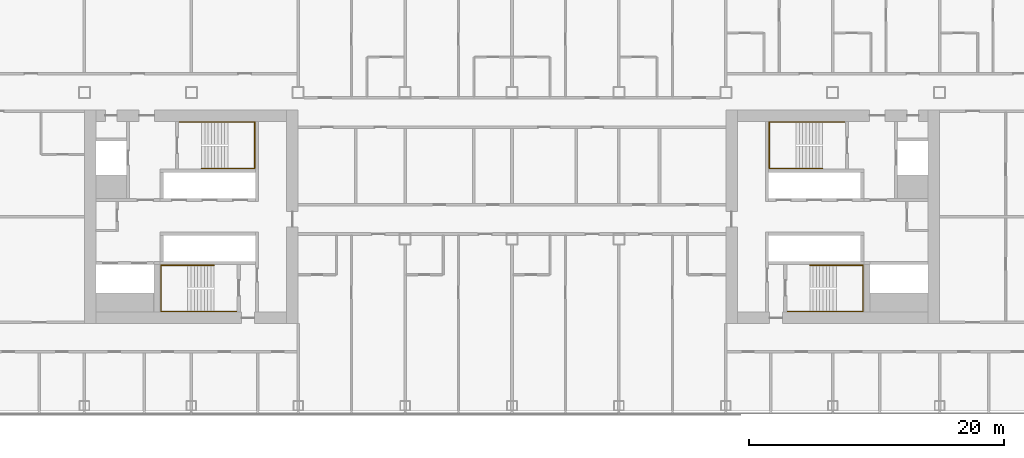
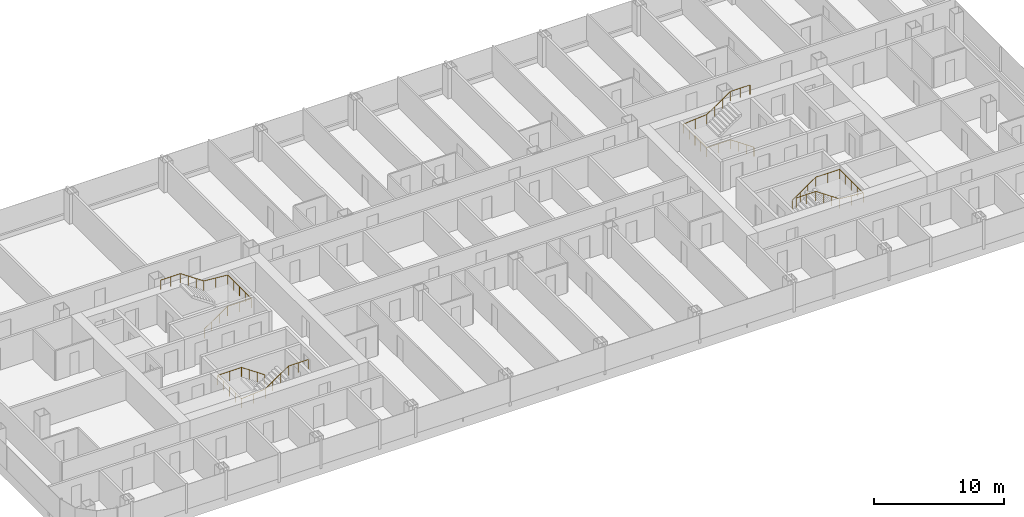
# One storey, part 29 of 29: 4 railings.
"""IFC4 building model written with IfcOpenShell, lengths in metres."""

from ifc_helpers import new_model, si_unit, direction, frame, origin, origin_2d, place, context, subcontext, project, spatial, circle, extrude, material, type_object, element, save


model = new_model("IFC4")

# Units and contexts
model_context = context("Model", 3, precision=1e-05, world=origin(), true_north=direction((0.0, 1.0)))
body_context = subcontext(model_context, "Body", "Model", "MODEL_VIEW")
ifc_project = project(units=[si_unit("LENGTHUNIT", "METRE"), si_unit("AREAUNIT", "SQUARE_METRE"), si_unit("VOLUMEUNIT", "CUBIC_METRE"), si_unit("PLANEANGLEUNIT", "RADIAN"), si_unit("MASSUNIT", "GRAM", prefix="KILO")], contexts=[model_context])

# Site, building, storey
site_placement = place(None, origin())
site = spatial("IfcSite", under=ifc_project, at=site_placement, CompositionType="ELEMENT")
building_placement = place(site_placement, origin())
building = spatial("IfcBuilding", under=site, at=building_placement, Name="Hakoniwa Tower and Hamabe Station Hall", CompositionType="ELEMENT")
storey_placement = place(building_placement, frame((0.0, 0.0, 88.199951171875)))
storey = spatial("IfcBuildingStorey", under=building, at=storey_placement, Name="L24", CompositionType="ELEMENT", Elevation=88.199951171875)

# Railings
ifc_material = material(Name="Stainless steel SUS304", Category="steel")
railing_type = type_object("IfcRailingType", Name="STAIR HANDRAIL 900", PredefinedType="HANDRAIL", material=ifc_material)
railing_1_placement = place(storey_placement, frame((-24.39990234375, 3.81005859375, 0.177734375)))
element("IfcRailing", 1, at=railing_1_placement, inside=storey, type_object=railing_type, Name="Handrail ST-1 L24 1", PredefinedType="HANDRAIL", context=body_context, shape_type="SweptSolid", body=[
    extrude(circle(Radius=0.02392578125, at=origin_2d()), frame((0.0, 0.0, 0.8759765625), z_axis=(0.825433201882, 0.0, 0.564499804456), x_axis=(0.0, 1.0, 0.0)), (0.0, 0.0, 1.0), 2.519775390625),
    extrude(circle(Radius=0.02392578125, at=origin_2d()), frame((2.079833984375, 0.0, 2.29833984375), z_axis=(1.0, 0.0, 0.0), x_axis=(0.0, 1.0, 0.0)), (0.0, 0.0, 1.0), 2.110107421875),
    extrude(circle(Radius=0.02392578125, at=origin_2d()), frame((4.18994140625, 0.0, 2.29833984375), z_axis=(0.0, 1.0, 0.0), x_axis=(-1.0, 0.0, 0.0)), (0.0, 0.0, 1.0), 3.6298828125),
    extrude(circle(Radius=0.02392578125, at=origin_2d()), frame((4.18994140625, 3.6298828125, 2.29833984375), z_axis=(-0.996471417081, 0.0, 0.083932800143), x_axis=(0.0, -1.0, 0.0)), (0.0, 0.0, 1.0), 2.11767578125),
    extrude(circle(Radius=0.02392578125, at=origin_2d()), frame((2.079833984375, 3.6298828125, 2.47607421875), z_axis=(-0.825478349766, 0.0, 0.564433781827), x_axis=(0.0, -1.0, 0.0)), (0.0, 0.0, 1.0), 2.51953125),
    extrude(circle(Radius=0.02392578125, at=origin_2d()), frame((0.0, 3.6298828125, 3.89794921875), z_axis=(-1.0, 0.0, 0.0), x_axis=(0.0, -1.0, 0.0)), (0.0, 0.0, 1.0), 1.739990234375),
    extrude(circle(Radius=0.02099609375, at=origin_2d()), origin(), (0.0, 0.0, 1.0), 0.851806640625),
    extrude(circle(Radius=0.02099609375, at=origin_2d()), frame((0.693359375, 0.0, 0.47412109375)), (0.0, 0.0, 1.0), 0.851806640625),
    extrude(circle(Radius=0.02099609375, at=origin_2d()), frame((1.386474609375, 0.0, 0.9482421875)), (0.0, 0.0, 1.0), 0.851806640625),
    extrude(circle(Radius=0.02099609375, at=origin_2d()), frame((2.079833984375, 0.0, 1.42236328125)), (0.0, 0.0, 1.0), 0.851806640625),
    extrude(circle(Radius=0.02099609375, at=origin_2d()), frame((3.134765625, 0.0, 1.42236328125)), (0.0, 0.0, 1.0), 0.851806640625),
    extrude(circle(Radius=0.02099609375, at=origin_2d()), frame((4.18994140625, 0.0, 1.42236328125)), (0.0, 0.0, 1.0), 0.851806640625),
    extrude(circle(Radius=0.02099609375, at=origin_2d()), frame((4.18994140625, 0.907470703125, 1.42236328125)), (0.0, 0.0, 1.0), 0.851806640625),
    extrude(circle(Radius=0.02099609375, at=origin_2d()), frame((4.18994140625, 1.81494140625, 1.42236328125)), (0.0, 0.0, 1.0), 0.851806640625),
    extrude(circle(Radius=0.02099609375, at=origin_2d()), frame((4.18994140625, 2.722412109375, 1.42236328125)), (0.0, 0.0, 1.0), 0.851806640625),
    extrude(circle(Radius=0.02099609375, at=origin_2d()), frame((4.18994140625, 3.6298828125, 1.42236328125)), (0.0, 0.0, 1.0), 0.851806640625),
    extrude(circle(Radius=0.02099609375, at=origin_2d()), frame((3.134765625, 3.6298828125, 1.51123046875)), (0.0, 0.0, 1.0), 0.851806640625),
    extrude(circle(Radius=0.02099609375, at=origin_2d()), frame((2.079833984375, 3.6298828125, 1.60009765625)), (0.0, 0.0, 1.0), 0.851806640625),
    extrude(circle(Radius=0.02099609375, at=origin_2d()), frame((1.386474609375, 3.6298828125, 2.07421875)), (0.0, 0.0, 1.0), 0.851806640625),
    extrude(circle(Radius=0.02099609375, at=origin_2d()), frame((0.693359375, 3.6298828125, 2.548095703125)), (0.0, 0.0, 1.0), 0.851806640625),
    extrude(circle(Radius=0.02099609375, at=origin_2d()), frame((0.0, 3.6298828125, 3.022216796875)), (0.0, 0.0, 1.0), 0.851806640625),
    extrude(circle(Radius=0.02099609375, at=origin_2d()), frame((-0.8701171875, 3.6298828125, 3.022216796875)), (0.0, 0.0, 1.0), 0.851806640625),
    extrude(circle(Radius=0.02099609375, at=origin_2d()), frame((-1.739990234375, 3.6298828125, 3.022216796875)), (0.0, 0.0, 1.0), 0.851806640625),
])
railing_2_placement = place(storey_placement, frame((-23.39990234375, -3.81005859375, 0.177734375)))
element("IfcRailing", 2, at=railing_2_placement, inside=storey, type_object=railing_type, Name="Handrail ST-2 L24 1", PredefinedType="HANDRAIL", context=body_context, shape_type="SweptSolid", body=[
    extrude(circle(Radius=0.02392578125, at=origin_2d()), frame((0.0, 0.0, 0.8759765625), z_axis=(-0.825464074169, 0.0, 0.564454659168), x_axis=(0.0, -1.0, 0.0)), (0.0, 0.0, 1.0), 2.519775390625),
    extrude(circle(Radius=0.02392578125, at=origin_2d()), frame((-2.080078125, 0.0, 2.29833984375), z_axis=(-1.0, 0.0, 0.0), x_axis=(0.0, -1.0, 0.0)), (0.0, 0.0, 1.0), 2.110107421875),
    extrude(circle(Radius=0.02392578125, at=origin_2d()), frame((-4.190185546875, 0.0, 2.29833984375), z_axis=(0.0, -1.0, 0.0), x_axis=(1.0, 0.0, 0.0)), (0.0, 0.0, 1.0), 3.6298828125),
    extrude(circle(Radius=0.02392578125, at=origin_2d()), frame((-4.190185546875, -3.6298828125, 2.29833984375), z_axis=(0.996471417081, 0.0, 0.083932800143), x_axis=(0.0, 1.0, 0.0)), (0.0, 0.0, 1.0), 2.11767578125),
    extrude(circle(Radius=0.02392578125, at=origin_2d()), frame((-2.080078125, -3.6298828125, 2.47607421875), z_axis=(0.82550921652, 0.0, 0.564388636881), x_axis=(0.0, 1.0, 0.0)), (0.0, 0.0, 1.0), 2.519775390625),
    extrude(circle(Radius=0.02392578125, at=origin_2d()), frame((0.0, -3.6298828125, 3.89794921875), z_axis=(1.0, 0.0, 0.0), x_axis=(0.0, 1.0, 0.0)), (0.0, 0.0, 1.0), 1.739990234375),
    extrude(circle(Radius=0.02099609375, at=origin_2d()), origin(), (0.0, 0.0, 1.0), 0.851806640625),
    extrude(circle(Radius=0.02099609375, at=origin_2d()), frame((-0.693359375, 0.0, 0.47412109375)), (0.0, 0.0, 1.0), 0.851806640625),
    extrude(circle(Radius=0.02099609375, at=origin_2d()), frame((-1.38671875, 0.0, 0.9482421875)), (0.0, 0.0, 1.0), 0.851806640625),
    extrude(circle(Radius=0.02099609375, at=origin_2d()), frame((-2.080078125, 0.0, 1.42236328125)), (0.0, 0.0, 1.0), 0.851806640625),
    extrude(circle(Radius=0.02099609375, at=origin_2d()), frame((-3.13525390625, 0.0, 1.42236328125)), (0.0, 0.0, 1.0), 0.851806640625),
    extrude(circle(Radius=0.02099609375, at=origin_2d()), frame((-4.190185546875, 0.0, 1.42236328125)), (0.0, 0.0, 1.0), 0.851806640625),
    extrude(circle(Radius=0.02099609375, at=origin_2d()), frame((-4.190185546875, -0.907470703125, 1.42236328125)), (0.0, 0.0, 1.0), 0.851806640625),
    extrude(circle(Radius=0.02099609375, at=origin_2d()), frame((-4.190185546875, -1.81494140625, 1.42236328125)), (0.0, 0.0, 1.0), 0.851806640625),
    extrude(circle(Radius=0.02099609375, at=origin_2d()), frame((-4.190185546875, -2.722412109375, 1.42236328125)), (0.0, 0.0, 1.0), 0.851806640625),
    extrude(circle(Radius=0.02099609375, at=origin_2d()), frame((-4.190185546875, -3.6298828125, 1.42236328125)), (0.0, 0.0, 1.0), 0.851806640625),
    extrude(circle(Radius=0.02099609375, at=origin_2d()), frame((-3.13525390625, -3.6298828125, 1.51123046875)), (0.0, 0.0, 1.0), 0.851806640625),
    extrude(circle(Radius=0.02099609375, at=origin_2d()), frame((-2.080078125, -3.6298828125, 1.60009765625)), (0.0, 0.0, 1.0), 0.851806640625),
    extrude(circle(Radius=0.02099609375, at=origin_2d()), frame((-1.38671875, -3.6298828125, 2.07421875)), (0.0, 0.0, 1.0), 0.851806640625),
    extrude(circle(Radius=0.02099609375, at=origin_2d()), frame((-0.693359375, -3.6298828125, 2.548095703125)), (0.0, 0.0, 1.0), 0.851806640625),
    extrude(circle(Radius=0.02099609375, at=origin_2d()), frame((0.0, -3.6298828125, 3.022216796875)), (0.0, 0.0, 1.0), 0.851806640625),
    extrude(circle(Radius=0.02099609375, at=origin_2d()), frame((0.8701171875, -3.6298828125, 3.022216796875)), (0.0, 0.0, 1.0), 0.851806640625),
    extrude(circle(Radius=0.02099609375, at=origin_2d()), frame((1.739990234375, -3.6298828125, 3.022216796875)), (0.0, 0.0, 1.0), 0.851806640625),
])
railing_3_placement = place(storey_placement, frame((24.39990234375, 3.81005859375, 0.177734375)))
element("IfcRailing", 3, at=railing_3_placement, inside=storey, type_object=railing_type, Name="Handrail ST-3 L24 1", PredefinedType="HANDRAIL", context=body_context, shape_type="SweptSolid", body=[
    extrude(circle(Radius=0.02392578125, at=origin_2d()), frame((0.0, 0.0, 0.8759765625), z_axis=(-0.825433201882, 0.0, 0.564499804456), x_axis=(0.0, -1.0, 0.0)), (0.0, 0.0, 1.0), 2.519775390625),
    extrude(circle(Radius=0.02392578125, at=origin_2d()), frame((-2.079833984375, 0.0, 2.29833984375), z_axis=(-1.0, 0.0, 0.0), x_axis=(0.0, -1.0, 0.0)), (0.0, 0.0, 1.0), 2.110107421875),
    extrude(circle(Radius=0.02392578125, at=origin_2d()), frame((-4.18994140625, 0.0, 2.29833984375), z_axis=(0.0, 1.0, 0.0), x_axis=(-1.0, 0.0, 0.0)), (0.0, 0.0, 1.0), 3.6298828125),
    extrude(circle(Radius=0.02392578125, at=origin_2d()), frame((-4.18994140625, 3.6298828125, 2.29833984375), z_axis=(0.996471417081, 0.0, 0.083932800143), x_axis=(0.0, 1.0, 0.0)), (0.0, 0.0, 1.0), 2.11767578125),
    extrude(circle(Radius=0.02392578125, at=origin_2d()), frame((-2.079833984375, 3.6298828125, 2.47607421875), z_axis=(0.825478349766, 0.0, 0.564433781827), x_axis=(0.0, 1.0, 0.0)), (0.0, 0.0, 1.0), 2.51953125),
    extrude(circle(Radius=0.02392578125, at=origin_2d()), frame((0.0, 3.6298828125, 3.89794921875), z_axis=(1.0, 0.0, 0.0), x_axis=(0.0, 1.0, 0.0)), (0.0, 0.0, 1.0), 1.739990234375),
    extrude(circle(Radius=0.02099609375, at=origin_2d()), origin(), (0.0, 0.0, 1.0), 0.851806640625),
    extrude(circle(Radius=0.02099609375, at=origin_2d()), frame((-0.693359375, 0.0, 0.47412109375)), (0.0, 0.0, 1.0), 0.851806640625),
    extrude(circle(Radius=0.02099609375, at=origin_2d()), frame((-1.386474609375, 0.0, 0.9482421875)), (0.0, 0.0, 1.0), 0.851806640625),
    extrude(circle(Radius=0.02099609375, at=origin_2d()), frame((-2.079833984375, 0.0, 1.42236328125)), (0.0, 0.0, 1.0), 0.851806640625),
    extrude(circle(Radius=0.02099609375, at=origin_2d()), frame((-3.134765625, 0.0, 1.42236328125)), (0.0, 0.0, 1.0), 0.851806640625),
    extrude(circle(Radius=0.02099609375, at=origin_2d()), frame((-4.18994140625, 0.0, 1.42236328125)), (0.0, 0.0, 1.0), 0.851806640625),
    extrude(circle(Radius=0.02099609375, at=origin_2d()), frame((-4.18994140625, 0.907470703125, 1.42236328125)), (0.0, 0.0, 1.0), 0.851806640625),
    extrude(circle(Radius=0.02099609375, at=origin_2d()), frame((-4.18994140625, 1.81494140625, 1.42236328125)), (0.0, 0.0, 1.0), 0.851806640625),
    extrude(circle(Radius=0.02099609375, at=origin_2d()), frame((-4.18994140625, 2.722412109375, 1.42236328125)), (0.0, 0.0, 1.0), 0.851806640625),
    extrude(circle(Radius=0.02099609375, at=origin_2d()), frame((-4.18994140625, 3.6298828125, 1.42236328125)), (0.0, 0.0, 1.0), 0.851806640625),
    extrude(circle(Radius=0.02099609375, at=origin_2d()), frame((-3.134765625, 3.6298828125, 1.51123046875)), (0.0, 0.0, 1.0), 0.851806640625),
    extrude(circle(Radius=0.02099609375, at=origin_2d()), frame((-2.079833984375, 3.6298828125, 1.60009765625)), (0.0, 0.0, 1.0), 0.851806640625),
    extrude(circle(Radius=0.02099609375, at=origin_2d()), frame((-1.386474609375, 3.6298828125, 2.07421875)), (0.0, 0.0, 1.0), 0.851806640625),
    extrude(circle(Radius=0.02099609375, at=origin_2d()), frame((-0.693359375, 3.6298828125, 2.548095703125)), (0.0, 0.0, 1.0), 0.851806640625),
    extrude(circle(Radius=0.02099609375, at=origin_2d()), frame((0.0, 3.6298828125, 3.022216796875)), (0.0, 0.0, 1.0), 0.851806640625),
    extrude(circle(Radius=0.02099609375, at=origin_2d()), frame((0.8701171875, 3.6298828125, 3.022216796875)), (0.0, 0.0, 1.0), 0.851806640625),
    extrude(circle(Radius=0.02099609375, at=origin_2d()), frame((1.739990234375, 3.6298828125, 3.022216796875)), (0.0, 0.0, 1.0), 0.851806640625),
])
railing_4_placement = place(storey_placement, frame((23.39990234375, -3.81005859375, 0.177734375)))
element("IfcRailing", 4, at=railing_4_placement, inside=storey, type_object=railing_type, Name="Handrail ST-4 L24 1", PredefinedType="HANDRAIL", context=body_context, shape_type="SweptSolid", body=[
    extrude(circle(Radius=0.02392578125, at=origin_2d()), frame((0.0, 0.0, 0.8759765625), z_axis=(0.825464074169, 0.0, 0.564454659168), x_axis=(0.0, 1.0, 0.0)), (0.0, 0.0, 1.0), 2.519775390625),
    extrude(circle(Radius=0.02392578125, at=origin_2d()), frame((2.080078125, 0.0, 2.29833984375), z_axis=(1.0, 0.0, 0.0), x_axis=(0.0, 1.0, 0.0)), (0.0, 0.0, 1.0), 2.110107421875),
    extrude(circle(Radius=0.02392578125, at=origin_2d()), frame((4.190185546875, 0.0, 2.29833984375), z_axis=(0.0, -1.0, 0.0), x_axis=(1.0, 0.0, 0.0)), (0.0, 0.0, 1.0), 3.6298828125),
    extrude(circle(Radius=0.02392578125, at=origin_2d()), frame((4.190185546875, -3.6298828125, 2.29833984375), z_axis=(-0.996471417081, 0.0, 0.083932800143), x_axis=(0.0, -1.0, 0.0)), (0.0, 0.0, 1.0), 2.11767578125),
    extrude(circle(Radius=0.02392578125, at=origin_2d()), frame((2.080078125, -3.6298828125, 2.47607421875), z_axis=(-0.82550921652, 0.0, 0.564388636881), x_axis=(0.0, -1.0, 0.0)), (0.0, 0.0, 1.0), 2.519775390625),
    extrude(circle(Radius=0.02392578125, at=origin_2d()), frame((0.0, -3.6298828125, 3.89794921875), z_axis=(-1.0, 0.0, 0.0), x_axis=(0.0, -1.0, 0.0)), (0.0, 0.0, 1.0), 1.739990234375),
    extrude(circle(Radius=0.02099609375, at=origin_2d()), origin(), (0.0, 0.0, 1.0), 0.851806640625),
    extrude(circle(Radius=0.02099609375, at=origin_2d()), frame((0.693359375, 0.0, 0.47412109375)), (0.0, 0.0, 1.0), 0.851806640625),
    extrude(circle(Radius=0.02099609375, at=origin_2d()), frame((1.38671875, 0.0, 0.9482421875)), (0.0, 0.0, 1.0), 0.851806640625),
    extrude(circle(Radius=0.02099609375, at=origin_2d()), frame((2.080078125, 0.0, 1.42236328125)), (0.0, 0.0, 1.0), 0.851806640625),
    extrude(circle(Radius=0.02099609375, at=origin_2d()), frame((3.13525390625, 0.0, 1.42236328125)), (0.0, 0.0, 1.0), 0.851806640625),
    extrude(circle(Radius=0.02099609375, at=origin_2d()), frame((4.190185546875, 0.0, 1.42236328125)), (0.0, 0.0, 1.0), 0.851806640625),
    extrude(circle(Radius=0.02099609375, at=origin_2d()), frame((4.190185546875, -0.907470703125, 1.42236328125)), (0.0, 0.0, 1.0), 0.851806640625),
    extrude(circle(Radius=0.02099609375, at=origin_2d()), frame((4.190185546875, -1.81494140625, 1.42236328125)), (0.0, 0.0, 1.0), 0.851806640625),
    extrude(circle(Radius=0.02099609375, at=origin_2d()), frame((4.190185546875, -2.722412109375, 1.42236328125)), (0.0, 0.0, 1.0), 0.851806640625),
    extrude(circle(Radius=0.02099609375, at=origin_2d()), frame((4.190185546875, -3.6298828125, 1.42236328125)), (0.0, 0.0, 1.0), 0.851806640625),
    extrude(circle(Radius=0.02099609375, at=origin_2d()), frame((3.13525390625, -3.6298828125, 1.51123046875)), (0.0, 0.0, 1.0), 0.851806640625),
    extrude(circle(Radius=0.02099609375, at=origin_2d()), frame((2.080078125, -3.6298828125, 1.60009765625)), (0.0, 0.0, 1.0), 0.851806640625),
    extrude(circle(Radius=0.02099609375, at=origin_2d()), frame((1.38671875, -3.6298828125, 2.07421875)), (0.0, 0.0, 1.0), 0.851806640625),
    extrude(circle(Radius=0.02099609375, at=origin_2d()), frame((0.693359375, -3.6298828125, 2.548095703125)), (0.0, 0.0, 1.0), 0.851806640625),
    extrude(circle(Radius=0.02099609375, at=origin_2d()), frame((0.0, -3.6298828125, 3.022216796875)), (0.0, 0.0, 1.0), 0.851806640625),
    extrude(circle(Radius=0.02099609375, at=origin_2d()), frame((-0.8701171875, -3.6298828125, 3.022216796875)), (0.0, 0.0, 1.0), 0.851806640625),
    extrude(circle(Radius=0.02099609375, at=origin_2d()), frame((-1.739990234375, -3.6298828125, 3.022216796875)), (0.0, 0.0, 1.0), 0.851806640625),
])

save(model, "model.ifc")
